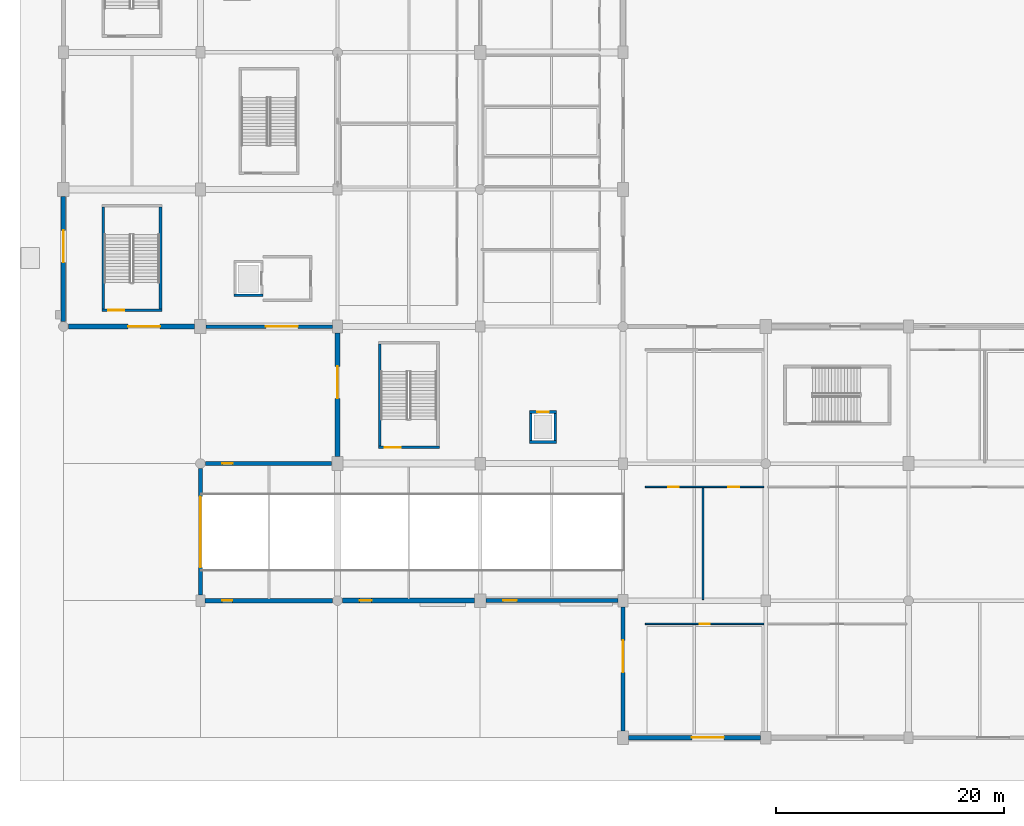
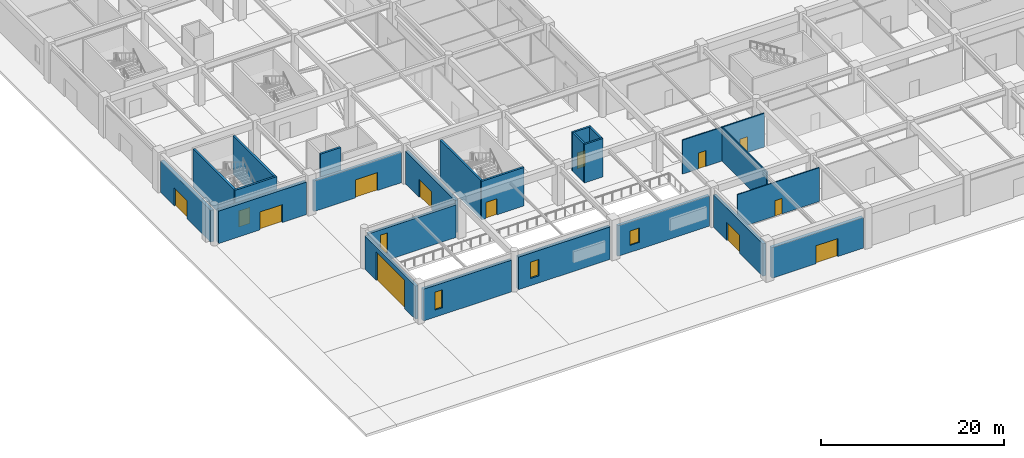
# One storey, part 14 of 69: 24 walls, 13 doors, 4 windows, 17 openings.
"""IFC4 building model written with IfcOpenShell, lengths in metres."""

from ifc_helpers import new_model, si_unit, direction, frame, frame_2d, origin, place, context, subcontext, project, spatial, rectangle, extrude, material, layer, layer_set, type_object, element, fill, save


model = new_model("IFC4")

# Units and contexts
model_context = context("Model", 3, precision=1e-05, world=origin(), true_north=direction((0.0, 1.0)))
body_context = subcontext(model_context, "Body", "Model", "MODEL_VIEW")
ifc_project = project(units=[si_unit("LENGTHUNIT", "METRE"), si_unit("AREAUNIT", "SQUARE_METRE"), si_unit("VOLUMEUNIT", "CUBIC_METRE"), si_unit("PLANEANGLEUNIT", "RADIAN"), si_unit("MASSUNIT", "GRAM", prefix="KILO")], contexts=[model_context])

# Site, building, storey
site_placement = place(None, origin())
site = spatial("IfcSite", under=ifc_project, at=site_placement, CompositionType="ELEMENT")
building_placement = place(site_placement, origin())
building = spatial("IfcBuilding", under=site, at=building_placement, Name="Kazenohara Klinker Stadium", CompositionType="ELEMENT")
storey_placement = place(building_placement, origin())
storey = spatial("IfcBuildingStorey", under=building, at=storey_placement, Name="L00", CompositionType="ELEMENT", Elevation=0.0)

# Walls
ifc_material_1 = material(Name="Concrete C40/50", Category="concrete")
ifc_layer_1 = layer(ifc_material_1, 0.22998046875)
ifc_layer_set_1 = layer_set([ifc_layer_1], Name="Concrete C40/50")
wall_type_1 = type_object("IfcWallType", Name="WAL-CORE-230", PredefinedType="SHEAR", material=ifc_layer_set_1)
wall_1_placement = place(storey_placement, frame((14.919921875, 38.735107421875, 0.0), z_axis=(0.0, 0.0, 1.0), x_axis=(1.0, 0.0, 0.0)))
element("IfcWall", 1, at=wall_1_placement, inside=storey, type_object=wall_type_1, Name="Elevator shaft wall LF01 L00 South", PredefinedType="SHEAR", context=body_context, shape_type="SweptSolid", body=[
    extrude(rectangle(XDim=2.56005859375, YDim=0.22998046875, at=frame_2d((1.280029296875, 0.0))), origin(), (0.0, 0.0, 1.0), 5.139892578125),
])
wall_2_placement = place(storey_placement, frame((40.820068359375, 25.885009765625, 0.0), z_axis=(0.0, 0.0, 1.0), x_axis=(1.0, 0.0, 0.0)))
element("IfcWall", 2, at=wall_2_placement, inside=storey, type_object=wall_type_1, Name="Elevator shaft wall LP03 L00 South", PredefinedType="SHEAR", context=body_context, shape_type="SweptSolid", body=[
    extrude(rectangle(XDim=2.35986328125, YDim=0.22998046875, at=frame_2d((1.179931640625, 0.0))), origin(), (0.0, 0.0, 1.0), 5.139892578125),
])

# Wall, opening, door
wall_3_placement = place(storey_placement, frame((40.820068359375, 28.514892578125, 0.0), z_axis=(0.0, 0.0, 1.0), x_axis=(1.0, 0.0, 0.0)))
wall_3 = element("IfcWall", 3, at=wall_3_placement, inside=storey, type_object=wall_type_1, Name="Elevator shaft wall LP03 L00 North", PredefinedType="SHEAR", context=body_context, shape_type="SweptSolid", body=[
    extrude(rectangle(XDim=2.35986328125, YDim=0.22998046875, at=frame_2d((1.179931640625, 0.0))), origin(), (0.0, 0.0, 1.0), 5.139892578125),
])
opening_1_placement = place(wall_3_placement, frame((0.679931640625, 0.0, 0.0)))
opening_1 = element("IfcOpeningElement", 4, at=opening_1_placement, cuts=wall_3, Name="Opening LD02", PredefinedType="OPENING", context=body_context, shape_type="SweptSolid", body=[
    extrude(rectangle(XDim=1.0, YDim=2.14990234375, at=frame_2d((0.5, 1.074951171875))), frame((0.0, 0.125, 0.0), z_axis=(0.0, -1.0, 0.0), x_axis=(1.0, 0.0, 0.0)), (0.0, 0.0, 1.0), 0.25),
])
ifc_material_2 = material(Name="Stainless steel sliding landing door", Category="steel")
door_type_1 = type_object("IfcDoorType", Name="DR-LD02-1000x2150", OperationType="NOTDEFINED", PredefinedType="DOOR", material=ifc_material_2)
door_1_placement = place(opening_1_placement, origin())
door_1 = element("IfcDoor", 5, at=door_1_placement, inside=storey, type_object=door_type_1, Name="Elevator sliding landing door LP03-L00", OperationType="DOUBLE_DOOR_SLIDING", OverallHeight=2.14990234375, OverallWidth=1.0, PredefinedType="DOOR", context=body_context, shape_type="SweptSolid", body=[
    extrude(rectangle(XDim=1.0, YDim=2.14990234375, at=frame_2d((0.5, 1.074951171875))), frame((0.0, 0.02490234375, 0.0), z_axis=(0.0, -1.0, 0.0), x_axis=(1.0, 0.0, 0.0)), (0.0, 0.0, 1.0), 0.050048828125),
])
fill(opening_1, door_1)

# Walls
for number, where, z_axis, x_axis, name in (
    (6, (40.93505859375, 26.0, 0.0), (0.0, 0.0, 1.0), (0.0, 1.0, 0.0), "Elevator shaft wall LP03 L00 West"),
    (7, (43.06494140625, 26.0, 0.0), (0.0, 0.0, 1.0), (0.0, 1.0, 0.0), "Elevator shaft wall LP03 L00 East"),
):
    element("IfcWall", number, at=place(storey_placement, frame(where, z_axis=z_axis, x_axis=x_axis)), inside=storey, type_object=wall_type_1, Name=name, PredefinedType="SHEAR", context=body_context, shape_type="SweptSolid", body=[
        extrude(rectangle(XDim=2.39990234375, YDim=0.22998046875, at=frame_2d((1.199951171875, 0.0))), origin(), (0.0, 0.0, 1.0), 5.139892578125),
    ])

# Wall, opening, door
ifc_layer_2 = layer(ifc_material_1, 0.25)
ifc_layer_set_2 = layer_set([ifc_layer_2], Name="Concrete C40/50")
wall_type_2 = type_object("IfcWallType", Name="WAL-CORE-250", PredefinedType="SHEAR", material=ifc_layer_set_2)
wall_4_placement = place(storey_placement, frame((3.360107421875, 37.425048828125, 0.0), z_axis=(0.0, 0.0, 1.0), x_axis=(1.0, 0.0, 0.0)))
wall_4 = element("IfcWall", 8, at=wall_4_placement, inside=storey, type_object=wall_type_2, Name="Stairwell shear wall ST01 L00 South", PredefinedType="SHEAR", context=body_context, shape_type="SweptSolid", body=[
    extrude(rectangle(XDim=5.27978515625, YDim=0.25, at=frame_2d((2.639892578125, 0.0))), origin(), (0.0, 0.0, 1.0), 5.139892578125),
])
opening_2_placement = place(wall_4_placement, frame((0.550048828125, 0.0, 0.0)))
opening_2 = element("IfcOpeningElement", 9, at=opening_2_placement, cuts=wall_4, Name="Opening SD01", PredefinedType="OPENING", context=body_context, shape_type="SweptSolid", body=[
    extrude(rectangle(XDim=1.39990234375, YDim=2.14990234375, at=frame_2d((0.699951171875, 1.074951171875))), frame((0.0, 0.135009765625, 0.0), z_axis=(0.0, -1.0, 0.0), x_axis=(1.0, 0.0, 0.0)), (0.0, 0.0, 1.0), 0.27001953125),
])
ifc_material_3 = material(Name="Flush painted steel fire door leaf", Category="steel")
door_type_2 = type_object("IfcDoorType", Name="DR-STR-1400x2150", OperationType="NOTDEFINED", PredefinedType="DOOR", material=ifc_material_3)
door_2_placement = place(opening_2_placement, origin())
door_2 = element("IfcDoor", 10, at=door_2_placement, inside=storey, type_object=door_type_2, Name="Escape stairwell fire door ST01-L00", OperationType="SINGLE_SWING_RIGHT", OverallHeight=2.14990234375, OverallWidth=1.39990234375, PredefinedType="DOOR", context=body_context, shape_type="SweptSolid", body=[
    extrude(rectangle(XDim=1.39990234375, YDim=2.14990234375, at=frame_2d((0.699951171875, 1.074951171875))), frame((0.0, 0.02490234375, 0.0), z_axis=(0.0, -1.0, 0.0), x_axis=(1.0, 0.0, 0.0)), (0.0, 0.0, 1.0), 0.050048828125),
])
fill(opening_2, door_2)

# Walls
for number, where, z_axis, x_axis, name in (
    (11, (3.485107421875, 37.550048828125, 0.0), (0.0, 0.0, 1.0), (0.0, 1.0, 0.0), "Stairwell shear wall ST01 L00 West"),
    (12, (8.514892578125, 37.550048828125, 0.0), (0.0, 0.0, 1.0), (0.0, 1.0, 0.0), "Stairwell shear wall ST01 L00 East"),
):
    element("IfcWall", number, at=place(storey_placement, frame(where, z_axis=z_axis, x_axis=x_axis)), inside=storey, type_object=wall_type_2, Name=name, PredefinedType="SHEAR", context=body_context, shape_type="SweptSolid", body=[
        extrude(rectangle(XDim=8.89990234375, YDim=0.25, at=frame_2d((4.449951171875, 0.0))), origin(), (0.0, 0.0, 1.0), 5.139892578125),
    ])

# Wall, opening, door
wall_5_placement = place(storey_placement, frame((27.580078125, 25.425048828125, 0.0), z_axis=(0.0, 0.0, 1.0), x_axis=(1.0, 0.0, 0.0)))
wall_5 = element("IfcWall", 13, at=wall_5_placement, inside=storey, type_object=wall_type_2, Name="Stairwell shear wall ST07 L00 South", PredefinedType="SHEAR", context=body_context, shape_type="SweptSolid", body=[
    extrude(rectangle(XDim=5.33984375, YDim=0.25, at=frame_2d((2.669921875, 0.0))), origin(), (0.0, 0.0, 1.0), 5.139892578125),
])
opening_3_placement = place(wall_5_placement, frame((0.550048828125, 0.0, 0.0)))
opening_3 = element("IfcOpeningElement", 14, at=opening_3_placement, cuts=wall_5, Name="Opening SD01", PredefinedType="OPENING", context=body_context, shape_type="SweptSolid", body=[
    extrude(rectangle(XDim=1.39990234375, YDim=2.14990234375, at=frame_2d((0.699951171875, 1.074951171875))), frame((0.0, 0.135009765625, 0.0), z_axis=(0.0, -1.0, 0.0), x_axis=(1.0, 0.0, 0.0)), (0.0, 0.0, 1.0), 0.27001953125),
])
door_3_placement = place(opening_3_placement, origin())
door_3 = element("IfcDoor", 15, at=door_3_placement, inside=storey, type_object=door_type_2, Name="Escape stairwell fire door ST07-L00", OperationType="SINGLE_SWING_RIGHT", OverallHeight=2.14990234375, OverallWidth=1.39990234375, PredefinedType="DOOR", context=body_context, shape_type="SweptSolid", body=[
    extrude(rectangle(XDim=1.39990234375, YDim=2.14990234375, at=frame_2d((0.699951171875, 1.074951171875))), frame((0.0, 0.02490234375, 0.0), z_axis=(0.0, -1.0, 0.0), x_axis=(1.0, 0.0, 0.0)), (0.0, 0.0, 1.0), 0.050048828125),
])
fill(opening_3, door_3)

# Wall
wall_6_placement = place(storey_placement, frame((27.705078125, 25.550048828125, 0.0), z_axis=(0.0, 0.0, 1.0), x_axis=(0.0, 1.0, 0.0)))
element("IfcWall", 16, at=wall_6_placement, inside=storey, type_object=wall_type_2, Name="Stairwell shear wall ST07 L00 West", PredefinedType="SHEAR", context=body_context, shape_type="SweptSolid", body=[
    extrude(rectangle(XDim=8.89990234375, YDim=0.25, at=frame_2d((4.449951171875, 0.0))), origin(), (0.0, 0.0, 1.0), 5.139892578125),
])

# Wall, opening, door
ifc_material_4 = material(Name="Clinker brick masonry", Category="masonry")
ifc_layer_3 = layer(ifc_material_4, 0.31005859375)
ifc_layer_set_3 = layer_set([ifc_layer_3], Name="Clinker brick masonry")
wall_type_3 = type_object("IfcWallType", Name="WAL-EXT-CB310", PredefinedType="SOLIDWALL", material=ifc_layer_set_3)
wall_7_placement = place(storey_placement, frame((12.50390625, 36.0, 0.0), z_axis=(0.0, 0.0, 1.0), x_axis=(1.0, 0.0, 0.0)))
wall_7 = element("IfcWall", 17, at=wall_7_placement, inside=storey, type_object=wall_type_3, Name="Clinker brick cavity wall EW05 L00 X1-3", PredefinedType="SOLIDWALL", context=body_context, shape_type="SweptSolid", body=[
    extrude(rectangle(XDim=11.0419921875, YDim=0.31005859375, at=frame_2d((5.52099609375, 0.0))), origin(), (0.0, 0.0, 1.0), 4.090087890625),
])
opening_4_placement = place(wall_7_placement, frame((8.025146484375, 0.0, 0.0), z_axis=(0.0, 0.0, 1.0), x_axis=(-1.0, 0.0, 0.0)))
opening_4 = element("IfcOpeningElement", 18, at=opening_4_placement, cuts=wall_7, Name="Opening G11", PredefinedType="OPENING", context=body_context, shape_type="SweptSolid", body=[
    extrude(rectangle(XDim=2.800048828125, YDim=2.39990234375, at=frame_2d((1.39990234375, 1.199951171875))), frame((0.0, 0.1650390625, 0.0), z_axis=(0.0, -1.0, 0.0), x_axis=(1.0, 0.0, 0.0)), (0.0, 0.0, 1.0), 0.330078125),
])
ifc_material_5 = material(Name="Powder-coated aluminium and laminated safety glass", Category="aluminium")
door_type_3 = type_object("IfcDoorType", Name="DR-GATE-2800x2400", OperationType="NOTDEFINED", PredefinedType="DOOR", material=ifc_material_5)
door_4_placement = place(opening_4_placement, origin())
door_4 = element("IfcDoor", 19, at=door_4_placement, inside=storey, type_object=door_type_3, Name="Pedestrian exit gate G11", OperationType="DOUBLE_DOOR_SINGLE_SWING", OverallHeight=2.39990234375, OverallWidth=2.800048828125, PredefinedType="DOOR", context=body_context, shape_type="SweptSolid", body=[
    extrude(rectangle(XDim=2.800048828125, YDim=2.39990234375, at=frame_2d((1.39990234375, 1.199951171875))), frame((0.0, 0.02490234375, 0.0), z_axis=(0.0, -1.0, 0.0), x_axis=(1.0, 0.0, 0.0)), (0.0, 0.0, 1.0), 0.050048828125),
])
fill(opening_4, door_4)

ifc_layer_4 = layer(ifc_material_4, 0.340087890625)
ifc_layer_set_4 = layer_set([ifc_layer_4], Name="Clinker brick masonry")
wall_type_4 = type_object("IfcWallType", Name="WAL-EXT-CB340", PredefinedType="SOLIDWALL", material=ifc_layer_set_4)
wall_8_placement = place(storey_placement, frame((12.0, 12.50390625, 0.0), z_axis=(0.0, 0.0, 1.0), x_axis=(0.0, 1.0, 0.0)))
wall_8 = element("IfcWall", 20, at=wall_8_placement, inside=storey, type_object=wall_type_4, Name="Clinker brick cavity wall EW04 L00 Y1-1", PredefinedType="SOLIDWALL", context=body_context, shape_type="SweptSolid", body=[
    extrude(rectangle(XDim=11.067138671875, YDim=0.340087890625, at=frame_2d((5.53369140625, 0.0))), origin(), (0.0, 0.0, 1.0), 4.43994140625),
])
opening_5_placement = place(wall_8_placement, frame((2.39599609375, 0.0, 0.0)))
opening_5 = element("IfcOpeningElement", 21, at=opening_5_placement, cuts=wall_8, Name="Opening VD01", PredefinedType="OPENING", context=body_context, shape_type="SweptSolid", body=[
    extrude(rectangle(XDim=6.199951171875, YDim=3.800048828125, at=frame_2d((3.10009765625, 1.89990234375))), frame((0.0, 0.18017578125, 0.0), z_axis=(0.0, -1.0, 0.0), x_axis=(1.0, 0.0, 0.0)), (0.0, 0.0, 1.0), 0.360107421875),
])
ifc_material_6 = material(Name="Insulated galvanised steel lath shutter", Category="steel")
door_type_4 = type_object("IfcDoorType", Name="DR-SHUT-6200x3800", OperationType="NOTDEFINED", PredefinedType="DOOR", material=ifc_material_6)
door_5_placement = place(opening_5_placement, origin())
door_5 = element("IfcDoor", 22, at=door_5_placement, inside=storey, type_object=door_type_4, Name="Southwest vehicle ramp roller shutter door VD01", OperationType="ROLLINGUP", OverallHeight=3.800048828125, OverallWidth=6.199951171875, PredefinedType="DOOR", context=body_context, shape_type="SweptSolid", body=[
    extrude(rectangle(XDim=6.199951171875, YDim=3.800048828125, at=frame_2d((3.10009765625, 1.89990234375))), frame((0.0, 0.02490234375, 0.0), z_axis=(0.0, -1.0, 0.0), x_axis=(1.0, 0.0, 0.0)), (0.0, 0.0, 1.0), 0.050048828125),
])
fill(opening_5, door_5)

# Wall, opening, window
wall_9_placement = place(storey_placement, frame((37.00390625, 12.0, 0.0), z_axis=(0.0, 0.0, 1.0), x_axis=(1.0, 0.0, 0.0)))
wall_9 = element("IfcWall", 23, at=wall_9_placement, inside=storey, type_object=wall_type_4, Name="Clinker brick cavity wall EW04 L00 X3-1", PredefinedType="SOLIDWALL", context=body_context, shape_type="SweptSolid", body=[
    extrude(rectangle(XDim=11.5419921875, YDim=0.340087890625, at=frame_2d((5.77099609375, 0.0))), origin(), (0.0, 0.0, 1.0), 4.090087890625),
])
opening_6_placement = place(wall_9_placement, frame((1.5, 0.0, 0.949951171875)))
opening_6 = element("IfcOpeningElement", 24, at=opening_6_placement, cuts=wall_9, Name="Opening W05", PredefinedType="OPENING", context=body_context, shape_type="SweptSolid", body=[
    extrude(rectangle(XDim=1.199951171875, YDim=1.89990234375, at=frame_2d((0.60009765625, 0.949951171875))), frame((0.0, 0.18017578125, 0.0), z_axis=(0.0, -1.0, 0.0), x_axis=(1.0, 0.0, 0.0)), (0.0, 0.0, 1.0), 0.360107421875),
])
ifc_material_7 = material(Name="Dark bronze aluminium frame and triple glazing", Category="aluminium")
window_type_1 = type_object("IfcWindowType", Name="WIN-AS-05", PartitioningType="SINGLE_PANEL", PredefinedType="WINDOW", material=ifc_material_7)
window_1_placement = place(opening_6_placement, origin())
window_1 = element("IfcWindow", 25, at=window_1_placement, inside=storey, type_object=window_type_1, Name="Horizontal-mullion ladder window W05 L00 X3-1", OverallHeight=1.89990234375, OverallWidth=1.199951171875, PartitioningType="SINGLE_PANEL", PredefinedType="WINDOW", context=body_context, shape_type="SweptSolid", body=[
    extrude(rectangle(XDim=1.199951171875, YDim=1.89990234375, at=frame_2d((0.60009765625, 0.949951171875))), frame((0.0, 0.030029296875, 0.0), z_axis=(0.0, -1.0, 0.0), x_axis=(1.0, 0.0, 0.0)), (0.0, 0.0, 1.0), 0.06005859375),
])
fill(opening_6, window_1)

ifc_layer_5 = layer(ifc_material_4, 0.3701171875)
ifc_layer_set_5 = layer_set([ifc_layer_5], Name="Clinker brick masonry")
wall_type_5 = type_object("IfcWallType", Name="WAL-EXT-CB370", PredefinedType="SOLIDWALL", material=ifc_layer_set_5)
wall_10_placement = place(storey_placement, frame((12.428955078125, 24.0, 0.0), z_axis=(0.0, 0.0, 1.0), x_axis=(1.0, 0.0, 0.0)))
wall_10 = element("IfcWall", 26, at=wall_10_placement, inside=storey, type_object=wall_type_5, Name="Clinker brick cavity wall EW03 L00 X1-2", PredefinedType="SOLIDWALL", context=body_context, shape_type="SweptSolid", body=[
    extrude(rectangle(XDim=11.067138671875, YDim=0.3701171875, at=frame_2d((5.53369140625, 0.0))), origin(), (0.0, 0.0, 1.0), 4.340087890625),
])
opening_7_placement = place(wall_10_placement, frame((1.5, 0.0, 0.949951171875)))
opening_7 = element("IfcOpeningElement", 27, at=opening_7_placement, cuts=wall_10, Name="Opening W03", PredefinedType="OPENING", context=body_context, shape_type="SweptSolid", body=[
    extrude(rectangle(XDim=0.89990234375, YDim=2.699951171875, at=frame_2d((0.449951171875, 1.35009765625))), frame((0.0, 0.195068359375, 0.0), z_axis=(0.0, -1.0, 0.0), x_axis=(1.0, 0.0, 0.0)), (0.0, 0.0, 1.0), 0.39013671875),
])
window_type_2 = type_object("IfcWindowType", Name="WIN-AS-03", PartitioningType="SINGLE_PANEL", PredefinedType="WINDOW", material=ifc_material_7)
window_2_placement = place(opening_7_placement, origin())
window_2 = element("IfcWindow", 28, at=window_2_placement, inside=storey, type_object=window_type_2, Name="Horizontal-mullion ladder window W03 L00 X1-2", OverallHeight=2.699951171875, OverallWidth=0.89990234375, PartitioningType="SINGLE_PANEL", PredefinedType="WINDOW", context=body_context, shape_type="SweptSolid", body=[
    extrude(rectangle(XDim=0.89990234375, YDim=2.699951171875, at=frame_2d((0.449951171875, 1.35009765625))), frame((0.0, 0.030029296875, 0.0), z_axis=(0.0, -1.0, 0.0), x_axis=(1.0, 0.0, 0.0)), (0.0, 0.0, 1.0), 0.06005859375),
])
fill(opening_7, window_2)

# Wall, opening, door
wall_11_placement = place(storey_placement, frame((49.0, 0.60400390625, 0.0), z_axis=(0.0, 0.0, 1.0), x_axis=(0.0, 1.0, 0.0)))
wall_11 = element("IfcWall", 29, at=wall_11_placement, inside=storey, type_object=wall_type_5, Name="Clinker brick cavity wall EW03 L00 Y4-0", PredefinedType="SOLIDWALL", context=body_context, shape_type="SweptSolid", body=[
    extrude(rectangle(XDim=10.842041015625, YDim=0.3701171875, at=frame_2d((5.4208984375, 0.0))), origin(), (0.0, 0.0, 1.0), 4.340087890625),
])
opening_8_placement = place(wall_11_placement, frame((5.105224609375, 0.0, 0.0)))
opening_8 = element("IfcOpeningElement", 30, at=opening_8_placement, cuts=wall_11, Name="Opening G16", PredefinedType="OPENING", context=body_context, shape_type="SweptSolid", body=[
    extrude(rectangle(XDim=2.800048828125, YDim=2.39990234375, at=frame_2d((1.39990234375, 1.199951171875))), frame((0.0, 0.195068359375, 0.0), z_axis=(0.0, -1.0, 0.0), x_axis=(1.0, 0.0, 0.0)), (0.0, 0.0, 1.0), 0.39013671875),
])
door_6_placement = place(opening_8_placement, origin())
door_6 = element("IfcDoor", 31, at=door_6_placement, inside=storey, type_object=door_type_3, Name="Pedestrian exit gate G16", OperationType="DOUBLE_DOOR_SINGLE_SWING", OverallHeight=2.39990234375, OverallWidth=2.800048828125, PredefinedType="DOOR", context=body_context, shape_type="SweptSolid", body=[
    extrude(rectangle(XDim=2.800048828125, YDim=2.39990234375, at=frame_2d((1.39990234375, 1.199951171875))), frame((0.0, 0.02490234375, 0.0), z_axis=(0.0, -1.0, 0.0), x_axis=(1.0, 0.0, 0.0)), (0.0, 0.0, 1.0), 0.050048828125),
])
fill(opening_8, door_6)

ifc_layer_6 = layer(ifc_material_4, 0.409912109375)
ifc_layer_set_6 = layer_set([ifc_layer_6], Name="Clinker brick masonry")
wall_type_6 = type_object("IfcWallType", Name="WAL-EXT-CB410", PredefinedType="SOLIDWALL", material=ifc_layer_set_6)
wall_12_placement = place(storey_placement, frame((0.0, 36.428955078125, 0.0), z_axis=(0.0, 0.0, 1.0), x_axis=(0.0, 1.0, 0.0)))
wall_12 = element("IfcWall", 32, at=wall_12_placement, inside=storey, type_object=wall_type_6, Name="Clinker brick cavity wall EW02 L00 Y0-3", PredefinedType="SOLIDWALL", context=body_context, shape_type="SweptSolid", body=[
    extrude(rectangle(XDim=10.967041015625, YDim=0.409912109375, at=frame_2d((5.4833984375, 0.0))), origin(), (0.0, 0.0, 1.0), 4.239990234375),
])
opening_9_placement = place(wall_12_placement, frame((5.18017578125, 0.0, 0.0)))
opening_9 = element("IfcOpeningElement", 33, at=opening_9_placement, cuts=wall_12, Name="Opening G02", PredefinedType="OPENING", context=body_context, shape_type="SweptSolid", body=[
    extrude(rectangle(XDim=2.800048828125, YDim=2.39990234375, at=frame_2d((1.39990234375, 1.199951171875))), frame((0.0, 0.21484375, 0.0), z_axis=(0.0, -1.0, 0.0), x_axis=(1.0, 0.0, 0.0)), (0.0, 0.0, 1.0), 0.429931640625),
])
door_7_placement = place(opening_9_placement, origin())
door_7 = element("IfcDoor", 34, at=door_7_placement, inside=storey, type_object=door_type_3, Name="Pedestrian exit gate G02", OperationType="DOUBLE_DOOR_SINGLE_SWING", OverallHeight=2.39990234375, OverallWidth=2.800048828125, PredefinedType="DOOR", context=body_context, shape_type="SweptSolid", body=[
    extrude(rectangle(XDim=2.800048828125, YDim=2.39990234375, at=frame_2d((1.39990234375, 1.199951171875))), frame((0.0, 0.02490234375, 0.0), z_axis=(0.0, -1.0, 0.0), x_axis=(1.0, 0.0, 0.0)), (0.0, 0.0, 1.0), 0.050048828125),
])
fill(opening_9, door_7)

# Wall, opening, window
wall_13_placement = place(storey_placement, frame((12.404052734375, 12.0, 0.0), z_axis=(0.0, 0.0, 1.0), x_axis=(1.0, 0.0, 0.0)))
wall_13 = element("IfcWall", 35, at=wall_13_placement, inside=storey, type_object=wall_type_6, Name="Clinker brick cavity wall EW02 L00 X1-1", PredefinedType="SOLIDWALL", context=body_context, shape_type="SweptSolid", body=[
    extrude(rectangle(XDim=11.1669921875, YDim=0.409912109375, at=frame_2d((5.58349609375, 0.0))), origin(), (0.0, 0.0, 1.0), 4.239990234375),
])
opening_10_placement = place(wall_13_placement, frame((1.5, 0.0, 0.949951171875)))
opening_10 = element("IfcOpeningElement", 36, at=opening_10_placement, cuts=wall_13, Name="Opening W02", PredefinedType="OPENING", context=body_context, shape_type="SweptSolid", body=[
    extrude(rectangle(XDim=0.89990234375, YDim=2.39990234375, at=frame_2d((0.449951171875, 1.199951171875))), frame((0.0, 0.21484375, 0.0), z_axis=(0.0, -1.0, 0.0), x_axis=(1.0, 0.0, 0.0)), (0.0, 0.0, 1.0), 0.429931640625),
])
window_type_3 = type_object("IfcWindowType", Name="WIN-AS-02", PartitioningType="SINGLE_PANEL", PredefinedType="WINDOW", material=ifc_material_7)
window_3_placement = place(opening_10_placement, origin())
window_3 = element("IfcWindow", 37, at=window_3_placement, inside=storey, type_object=window_type_3, Name="Horizontal-mullion ladder window W02 L00 X1-1", OverallHeight=2.39990234375, OverallWidth=0.89990234375, PartitioningType="SINGLE_PANEL", PredefinedType="WINDOW", context=body_context, shape_type="SweptSolid", body=[
    extrude(rectangle(XDim=0.89990234375, YDim=2.39990234375, at=frame_2d((0.449951171875, 1.199951171875))), frame((0.0, 0.030029296875, 0.0), z_axis=(0.0, -1.0, 0.0), x_axis=(1.0, 0.0, 0.0)), (0.0, 0.0, 1.0), 0.06005859375),
])
fill(opening_10, window_3)

# Wall, opening, door
wall_14_placement = place(storey_placement, frame((24.0, 24.60400390625, 0.0), z_axis=(0.0, 0.0, 1.0), x_axis=(0.0, 1.0, 0.0)))
wall_14 = element("IfcWall", 38, at=wall_14_placement, inside=storey, type_object=wall_type_6, Name="Clinker brick cavity wall EW02 L00 Y2-2", PredefinedType="SOLIDWALL", context=body_context, shape_type="SweptSolid", body=[
    extrude(rectangle(XDim=10.842041015625, YDim=0.409912109375, at=frame_2d((5.4208984375, 0.0))), origin(), (0.0, 0.0, 1.0), 4.340087890625),
])
opening_11_placement = place(wall_14_placement, frame((5.105224609375, 0.0, 0.0)))
opening_11 = element("IfcOpeningElement", 39, at=opening_11_placement, cuts=wall_14, Name="Opening G13", PredefinedType="OPENING", context=body_context, shape_type="SweptSolid", body=[
    extrude(rectangle(XDim=2.800048828125, YDim=2.39990234375, at=frame_2d((1.39990234375, 1.199951171875))), frame((0.0, 0.21484375, 0.0), z_axis=(0.0, -1.0, 0.0), x_axis=(1.0, 0.0, 0.0)), (0.0, 0.0, 1.0), 0.429931640625),
])
door_8_placement = place(opening_11_placement, origin())
door_8 = element("IfcDoor", 40, at=door_8_placement, inside=storey, type_object=door_type_3, Name="Pedestrian exit gate G13", OperationType="DOUBLE_DOOR_SINGLE_SWING", OverallHeight=2.39990234375, OverallWidth=2.800048828125, PredefinedType="DOOR", context=body_context, shape_type="SweptSolid", body=[
    extrude(rectangle(XDim=2.800048828125, YDim=2.39990234375, at=frame_2d((1.39990234375, 1.199951171875))), frame((0.0, 0.02490234375, 0.0), z_axis=(0.0, -1.0, 0.0), x_axis=(1.0, 0.0, 0.0)), (0.0, 0.0, 1.0), 0.050048828125),
])
fill(opening_11, door_8)

wall_15_placement = place(storey_placement, frame((49.50390625, 0.0, 0.0), z_axis=(0.0, 0.0, 1.0), x_axis=(1.0, 0.0, 0.0)))
wall_15 = element("IfcWall", 41, at=wall_15_placement, inside=storey, type_object=wall_type_6, Name="Clinker brick cavity wall EW02 L00 X4-0", PredefinedType="SOLIDWALL", context=body_context, shape_type="SweptSolid", body=[
    extrude(rectangle(XDim=11.5419921875, YDim=0.409912109375, at=frame_2d((5.77099609375, 0.0))), origin(), (0.0, 0.0, 1.0), 4.090087890625),
])
opening_12_placement = place(wall_15_placement, frame((8.3251953125, 0.0, 0.0), z_axis=(0.0, 0.0, 1.0), x_axis=(-1.0, 0.0, 0.0)))
opening_12 = element("IfcOpeningElement", 42, at=opening_12_placement, cuts=wall_15, Name="Opening G15", PredefinedType="OPENING", context=body_context, shape_type="SweptSolid", body=[
    extrude(rectangle(XDim=2.800048828125, YDim=2.39990234375, at=frame_2d((1.39990234375, 1.199951171875))), frame((0.0, 0.21484375, 0.0), z_axis=(0.0, -1.0, 0.0), x_axis=(1.0, 0.0, 0.0)), (0.0, 0.0, 1.0), 0.429931640625),
])
door_9_placement = place(opening_12_placement, origin())
door_9 = element("IfcDoor", 43, at=door_9_placement, inside=storey, type_object=door_type_3, Name="Pedestrian exit gate G15", OperationType="DOUBLE_DOOR_SINGLE_SWING", OverallHeight=2.39990234375, OverallWidth=2.800048828125, PredefinedType="DOOR", context=body_context, shape_type="SweptSolid", body=[
    extrude(rectangle(XDim=2.800048828125, YDim=2.39990234375, at=frame_2d((1.39990234375, 1.199951171875))), frame((0.0, 0.02490234375, 0.0), z_axis=(0.0, -1.0, 0.0), x_axis=(1.0, 0.0, 0.0)), (0.0, 0.0, 1.0), 0.050048828125),
])
fill(opening_12, door_9)

ifc_layer_7 = layer(ifc_material_4, 0.449951171875)
ifc_layer_set_7 = layer_set([ifc_layer_7], Name="Clinker brick masonry")
wall_type_7 = type_object("IfcWallType", Name="WAL-EXT-CB450", PredefinedType="SOLIDWALL", material=ifc_layer_set_7)
wall_16_placement = place(storey_placement, frame((0.428955078125, 36.0, 0.0), z_axis=(0.0, 0.0, 1.0), x_axis=(1.0, 0.0, 0.0)))
wall_16 = element("IfcWall", 44, at=wall_16_placement, inside=storey, type_object=wall_type_7, Name="Clinker brick cavity wall EW01 L00 X0-3", PredefinedType="SOLIDWALL", context=body_context, shape_type="SweptSolid", body=[
    extrude(rectangle(XDim=11.067138671875, YDim=0.449951171875, at=frame_2d((5.53369140625, 0.0))), origin(), (0.0, 0.0, 1.0), 4.340087890625),
])
opening_13_placement = place(wall_16_placement, frame((8.040283203125, 0.0, 0.0), z_axis=(0.0, 0.0, 1.0), x_axis=(-1.0, 0.0, 0.0)))
opening_13 = element("IfcOpeningElement", 45, at=opening_13_placement, cuts=wall_16, Name="Opening G01", PredefinedType="OPENING", context=body_context, shape_type="SweptSolid", body=[
    extrude(rectangle(XDim=2.800048828125, YDim=2.39990234375, at=frame_2d((1.39990234375, 1.199951171875))), frame((0.0, 0.23486328125, 0.0), z_axis=(0.0, -1.0, 0.0), x_axis=(1.0, 0.0, 0.0)), (0.0, 0.0, 1.0), 0.469970703125),
])
door_10_placement = place(opening_13_placement, origin())
door_10 = element("IfcDoor", 46, at=door_10_placement, inside=storey, type_object=door_type_3, Name="Pedestrian exit gate G01", OperationType="DOUBLE_DOOR_SINGLE_SWING", OverallHeight=2.39990234375, OverallWidth=2.800048828125, PredefinedType="DOOR", context=body_context, shape_type="SweptSolid", body=[
    extrude(rectangle(XDim=2.800048828125, YDim=2.39990234375, at=frame_2d((1.39990234375, 1.199951171875))), frame((0.0, 0.02490234375, 0.0), z_axis=(0.0, -1.0, 0.0), x_axis=(1.0, 0.0, 0.0)), (0.0, 0.0, 1.0), 0.050048828125),
])
fill(opening_13, door_10)

# Wall, opening, window
wall_17_placement = place(storey_placement, frame((24.428955078125, 12.0, 0.0), z_axis=(0.0, 0.0, 1.0), x_axis=(1.0, 0.0, 0.0)))
wall_17 = element("IfcWall", 47, at=wall_17_placement, inside=storey, type_object=wall_type_7, Name="Clinker brick cavity wall EW01 L00 X2-1", PredefinedType="SOLIDWALL", context=body_context, shape_type="SweptSolid", body=[
    extrude(rectangle(XDim=11.567138671875, YDim=0.449951171875, at=frame_2d((5.78369140625, 0.0))), origin(), (0.0, 0.0, 1.0), 4.340087890625),
])
opening_14_placement = place(wall_17_placement, frame((1.5, 0.0, 0.949951171875)))
opening_14 = element("IfcOpeningElement", 48, at=opening_14_placement, cuts=wall_17, Name="Opening W04", PredefinedType="OPENING", context=body_context, shape_type="SweptSolid", body=[
    extrude(rectangle(XDim=1.050048828125, YDim=2.199951171875, at=frame_2d((0.52490234375, 1.10009765625))), frame((0.0, 0.23486328125, 0.0), z_axis=(0.0, -1.0, 0.0), x_axis=(1.0, 0.0, 0.0)), (0.0, 0.0, 1.0), 0.469970703125),
])
window_type_4 = type_object("IfcWindowType", Name="WIN-AS-04", PartitioningType="SINGLE_PANEL", PredefinedType="WINDOW", material=ifc_material_7)
window_4_placement = place(opening_14_placement, origin())
window_4 = element("IfcWindow", 49, at=window_4_placement, inside=storey, type_object=window_type_4, Name="Horizontal-mullion ladder window W04 L00 X2-1", OverallHeight=2.199951171875, OverallWidth=1.050048828125, PartitioningType="SINGLE_PANEL", PredefinedType="WINDOW", context=body_context, shape_type="SweptSolid", body=[
    extrude(rectangle(XDim=1.050048828125, YDim=2.199951171875, at=frame_2d((0.52490234375, 1.10009765625))), frame((0.0, 0.030029296875, 0.0), z_axis=(0.0, -1.0, 0.0), x_axis=(1.0, 0.0, 0.0)), (0.0, 0.0, 1.0), 0.06005859375),
])
fill(opening_14, window_4)

# Wall, opening, door
ifc_material_8 = material(Name="Fire-rated gypsum board on acoustic studs", Category="gypsum")
ifc_layer_8 = layer(ifc_material_8, 0.1201171875)
ifc_layer_set_8 = layer_set([ifc_layer_8], Name="Fire-rated gypsum board on acoustic studs")
wall_type_8 = type_object("IfcWallType", Name="WAL-INT-P120", PredefinedType="PARTITIONING", material=ifc_layer_set_8)
wall_18_placement = place(storey_placement, frame((50.969970703125, 9.9599609375, 0.0), z_axis=(0.0, 0.0, 1.0), x_axis=(1.0, 0.0, 0.0)))
wall_18 = element("IfcWall", 50, at=wall_18_placement, inside=storey, type_object=wall_type_8, Name="Interior partition wall PT02 SPC-L00-04-00-1-1", PredefinedType="PARTITIONING", context=body_context, shape_type="SweptSolid", body=[
    extrude(rectangle(XDim=10.3701171875, YDim=0.1201171875, at=frame_2d((5.18505859375, 0.0))), origin(), (0.0, 0.0, 1.0), 4.52001953125),
])
opening_15_placement = place(wall_18_placement, frame((5.635009765625, 0.0, 0.0), z_axis=(0.0, 0.0, 1.0), x_axis=(-1.0, 0.0, 0.0)))
opening_15 = element("IfcOpeningElement", 51, at=opening_15_placement, cuts=wall_18, Name="Opening ID01", PredefinedType="OPENING", context=body_context, shape_type="SweptSolid", body=[
    extrude(rectangle(XDim=0.89990234375, YDim=2.06005859375, at=frame_2d((0.449951171875, 1.030029296875))), frame((0.0, 0.070068359375, 0.0), z_axis=(0.0, -1.0, 0.0), x_axis=(1.0, 0.0, 0.0)), (0.0, 0.0, 1.0), 0.14013671875),
])
ifc_material_9 = material(Name="Solid-core Hokkaido oak fire door", Category="wood")
door_type_5 = type_object("IfcDoorType", Name="DR-INT-01", OperationType="NOTDEFINED", PredefinedType="DOOR", material=ifc_material_9)
door_11_placement = place(opening_15_placement, origin())
door_11 = element("IfcDoor", 52, at=door_11_placement, inside=storey, type_object=door_type_5, Name="Interior door ID01 Civic Stadium Heritage Museum Exhibition Gallery L00-0400A", OperationType="SINGLE_SWING_RIGHT", OverallHeight=2.06005859375, OverallWidth=0.89990234375, PredefinedType="DOOR", context=body_context, shape_type="SweptSolid", body=[
    extrude(rectangle(XDim=0.89990234375, YDim=2.06005859375, at=frame_2d((0.449951171875, 1.030029296875))), frame((0.0, 0.02490234375, 0.0), z_axis=(0.0, -1.0, 0.0), x_axis=(1.0, 0.0, 0.0)), (0.0, 0.0, 1.0), 0.050048828125),
])
fill(opening_15, door_11)

# Wall, openings, doors
ifc_layer_9 = layer(ifc_material_8, 0.139892578125)
ifc_layer_set_9 = layer_set([ifc_layer_9], Name="Fire-rated gypsum board on acoustic studs")
wall_type_9 = type_object("IfcWallType", Name="WAL-INT-P140", PredefinedType="PARTITIONING", material=ifc_layer_set_9)
wall_19_placement = place(storey_placement, frame((50.969970703125, 21.9599609375, 0.0), z_axis=(0.0, 0.0, 1.0), x_axis=(1.0, 0.0, 0.0)))
wall_19 = element("IfcWall", 53, at=wall_19_placement, inside=storey, type_object=wall_type_9, Name="Interior partition wall PT03 SPC-L00-04-01-1-1", PredefinedType="PARTITIONING", context=body_context, shape_type="SweptSolid", body=[
    extrude(rectangle(XDim=10.3701171875, YDim=0.139892578125, at=frame_2d((5.18505859375, 0.0))), origin(), (0.0, 0.0, 1.0), 4.52001953125),
])
opening_16_placement = place(wall_19_placement, frame((2.9345703125, 0.0, 0.0), z_axis=(0.0, 0.0, 1.0), x_axis=(-1.0, 0.0, 0.0)))
opening_16 = element("IfcOpeningElement", 54, at=opening_16_placement, cuts=wall_19, Name="Opening ID02", PredefinedType="OPENING", context=body_context, shape_type="SweptSolid", body=[
    extrude(rectangle(XDim=0.919921875, YDim=2.10009765625, at=frame_2d((0.4599609375, 1.050048828125))), frame((0.0, 0.080078125, 0.0), z_axis=(0.0, -1.0, 0.0), x_axis=(1.0, 0.0, 0.0)), (0.0, 0.0, 1.0), 0.159912109375),
])
opening_17_placement = place(wall_19_placement, frame((8.214599609375, 0.0, 0.0), z_axis=(0.0, 0.0, 1.0), x_axis=(-1.0, 0.0, 0.0)))
opening_17 = element("IfcOpeningElement", 55, at=opening_17_placement, cuts=wall_19, Name="Opening ID03", PredefinedType="OPENING", context=body_context, shape_type="SweptSolid", body=[
    extrude(rectangle(XDim=0.949951171875, YDim=2.1201171875, at=frame_2d((0.47509765625, 1.06005859375))), frame((0.0, 0.080078125, 0.0), z_axis=(0.0, -1.0, 0.0), x_axis=(1.0, 0.0, 0.0)), (0.0, 0.0, 1.0), 0.159912109375),
])
door_type_6 = type_object("IfcDoorType", Name="DR-INT-02", OperationType="NOTDEFINED", PredefinedType="DOOR", material=ifc_material_9)
door_12_placement = place(opening_16_placement, origin())
door_12 = element("IfcDoor", 56, at=door_12_placement, inside=storey, type_object=door_type_6, Name="Interior door ID02 Supporter Merchandising Retail Shop L00-0401A", OperationType="SINGLE_SWING_LEFT", OverallHeight=2.10009765625, OverallWidth=0.919921875, PredefinedType="DOOR", context=body_context, shape_type="SweptSolid", body=[
    extrude(rectangle(XDim=0.919921875, YDim=2.10009765625, at=frame_2d((0.4599609375, 1.050048828125))), frame((0.0, 0.02490234375, 0.0), z_axis=(0.0, -1.0, 0.0), x_axis=(1.0, 0.0, 0.0)), (0.0, 0.0, 1.0), 0.050048828125),
])
fill(opening_16, door_12)
door_type_7 = type_object("IfcDoorType", Name="DR-INT-03", OperationType="NOTDEFINED", PredefinedType="DOOR", material=ifc_material_9)
door_13_placement = place(opening_17_placement, origin())
door_13 = element("IfcDoor", 57, at=door_13_placement, inside=storey, type_object=door_type_7, Name="Interior door ID03 Concourse Craft Beverage Tavern L00-0401B", OperationType="SINGLE_SWING_RIGHT", OverallHeight=2.1201171875, OverallWidth=0.949951171875, PredefinedType="DOOR", context=body_context, shape_type="SweptSolid", body=[
    extrude(rectangle(XDim=0.949951171875, YDim=2.1201171875, at=frame_2d((0.47509765625, 1.06005859375))), frame((0.0, 0.02490234375, 0.0), z_axis=(0.0, -1.0, 0.0), x_axis=(1.0, 0.0, 0.0)), (0.0, 0.0, 1.0), 0.050048828125),
])
fill(opening_17, door_13)

# Wall
ifc_layer_10 = layer(ifc_material_8, 0.14990234375)
ifc_layer_set_10 = layer_set([ifc_layer_10], Name="Fire-rated gypsum board on acoustic studs")
wall_type_10 = type_object("IfcWallType", Name="WAL-INT-P150", PredefinedType="PARTITIONING", material=ifc_layer_set_10)
wall_20_placement = place(storey_placement, frame((55.99951171875, 12.080078125, 0.0), z_axis=(0.0, 0.0, 1.0), x_axis=(0.0, 1.0, 0.0)))
element("IfcWall", 58, at=wall_20_placement, inside=storey, type_object=wall_type_10, Name="Interior partition wall PT04 SPC-L00-04-01-1-2", PredefinedType="PARTITIONING", context=body_context, shape_type="SweptSolid", body=[
    extrude(rectangle(XDim=9.804931640625, YDim=0.14990234375, at=frame_2d((4.90234375, 0.0))), origin(), (0.0, 0.0, 1.0), 4.52001953125),
])

save(model, "model.ifc")
